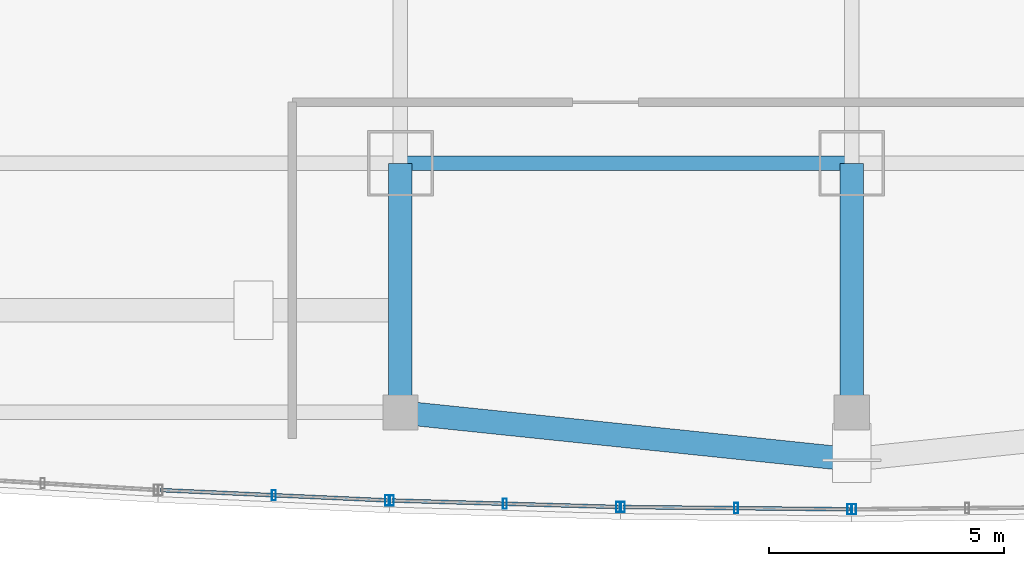
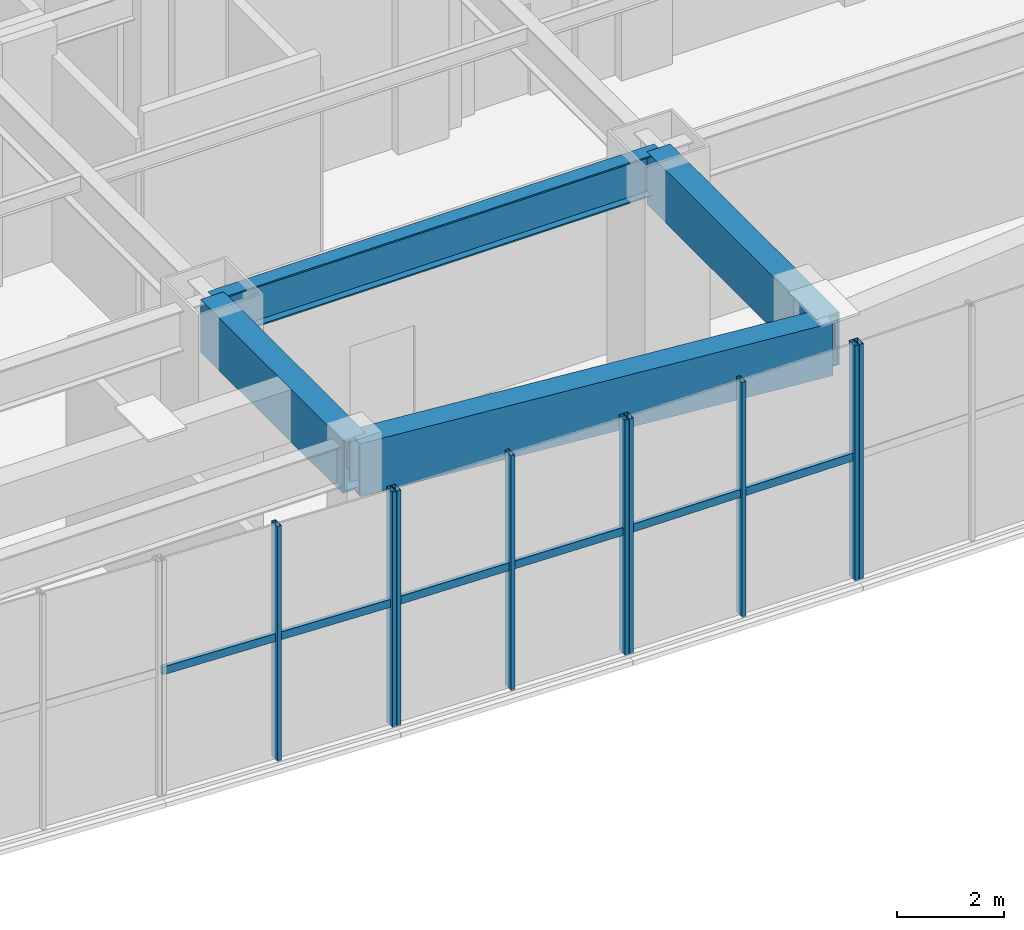
# One storey, part 4 of 19: 12 members, 4 beams, 4 elements without a shape of their own.
"""IFC4 building model written with IfcOpenShell, lengths in metres."""

from ifc_helpers import new_model, si_unit, direction, frame, origin, origin_2d, place, context, subcontext, project, spatial, hollow_rectangle, i_section, extrude, material, layer, layer_set, material_profile, profile_set, type_object, element, aggregate, save


model = new_model("IFC4")

# Units and contexts
model_context = context("Model", 3, precision=1e-05, world=origin(), true_north=direction((0.0, 1.0)))
body_context = subcontext(model_context, "Body", "Model", "MODEL_VIEW")
ifc_project = project(units=[si_unit("LENGTHUNIT", "METRE"), si_unit("AREAUNIT", "SQUARE_METRE"), si_unit("VOLUMEUNIT", "CUBIC_METRE"), si_unit("PLANEANGLEUNIT", "RADIAN"), si_unit("MASSUNIT", "GRAM", prefix="KILO")], contexts=[model_context])

# Site, building, storey
site_placement = place(None, origin())
site = spatial("IfcSite", under=ifc_project, at=site_placement, CompositionType="ELEMENT")
building_placement = place(site_placement, origin())
building = spatial("IfcBuilding", under=site, at=building_placement, Name="Vantalir Tower", CompositionType="ELEMENT")
storey_placement = place(building_placement, frame((0.0, 0.0, 21.5)))
storey = spatial("IfcBuildingStorey", under=building, at=storey_placement, Name="L04", CompositionType="ELEMENT", Elevation=21.5)

# Beams
ifc_material_1 = material(Name="Steel S355", Category="steel")
ifc_material_profile_1 = material_profile(ifc_material_1, i_section(OverallWidth=0.30810546875, OverallDepth=0.927001953125, WebThickness=0.01953125, FlangeThickness=0.031982421875, at=origin_2d()), Name="Steel S355")
ifc_profile_set_1 = profile_set([ifc_material_profile_1], Name="Steel S355")
beam_type_1 = type_object("IfcBeamType", Name="BM-PG-914x305", PredefinedType="USERDEFINED", material=ifc_profile_set_1)
beam_1_placement = place(storey_placement, frame((21.89990234375, 8.5, 4.81591796875), z_axis=(1.0, 0.0, 0.0), x_axis=(0.0, 1.0, 0.0)))
element("IfcBeam", 1, at=beam_1_placement, inside=storey, type_object=beam_type_1, Name="L04 Podium E-W Girder 10", ObjectType="GIRDER", PredefinedType="USERDEFINED", context=body_context, shape_type="SweptSolid", body=[
    extrude(i_section(OverallWidth=0.30810546875, OverallDepth=0.927001953125, WebThickness=0.01953125, FlangeThickness=0.031982421875, at=origin_2d()), origin(), (0.0, 0.0, 1.0), 9.60009765625),
])
ifc_material_2 = material(Name="Steel S460", Category="steel")
ifc_material_profile_2 = material_profile(ifc_material_2, hollow_rectangle(XDim=0.5, YDim=1.199951171875, WallThickness=0.0400390625, at=origin_2d()), Name="Steel S460")
ifc_profile_set_2 = profile_set([ifc_material_profile_2], Name="Steel S460")
beam_type_2 = type_object("IfcBeamType", Name="BM-XG-1200x500", PredefinedType="USERDEFINED", material=ifc_profile_set_2)
beam_2_placement = place(storey_placement, frame((21.89990234375, 3.199951171875, 4.679931640625), z_axis=(0.0, 1.0, 0.0), x_axis=(-1.0, 0.0, 0.0)))
element("IfcBeam", 2, at=beam_2_placement, inside=storey, type_object=beam_type_2, Name="L04 Ring Transfer Girder PRI-X3S", ObjectType="GIRDER", PredefinedType="USERDEFINED", context=body_context, shape_type="SweptSolid", body=[
    extrude(hollow_rectangle(XDim=0.5, YDim=1.199951171875, WallThickness=0.0400390625, at=origin_2d()), origin(), (0.0, 0.0, 1.0), 5.300048828125),
])
beam_3_placement = place(storey_placement, frame((31.5, 2.199951171875, 4.679931640625), z_axis=(0.0, 1.0, 0.0), x_axis=(-1.0, 0.0, 0.0)))
element("IfcBeam", 3, at=beam_3_placement, inside=storey, type_object=beam_type_2, Name="L04 Ring Transfer Girder PRI-X5S", ObjectType="GIRDER", PredefinedType="USERDEFINED", context=body_context, shape_type="SweptSolid", body=[
    extrude(hollow_rectangle(XDim=0.5, YDim=1.199951171875, WallThickness=0.0400390625, at=origin_2d()), origin(), (0.0, 0.0, 1.0), 6.300048828125),
])
beam_4_placement = place(storey_placement, frame((21.89990234375, 3.199951171875, 4.679931640625), z_axis=(0.994618517496, -0.103605041647, 0.0), x_axis=(0.103605041647, 0.994618517496, 0.0)))
element("IfcBeam", 4, at=beam_4_placement, inside=storey, type_object=beam_type_2, Name="L04 Ring Transfer Girder SEC-RC10W", ObjectType="GIRDER", PredefinedType="USERDEFINED", context=body_context, shape_type="SweptSolid", body=[
    extrude(hollow_rectangle(XDim=0.5, YDim=1.199951171875, WallThickness=0.0400390625, at=origin_2d()), origin(), (0.0, 0.0, 1.0), 9.652099609375),
])

# Curtain wall, members
ifc_material_3 = material(Name="Champagne-silver PVDF aluminium and double-silver Low-E glass", Category="aluminium")
ifc_layer = layer(ifc_material_3, 0.239990234375)
ifc_layer_set = layer_set([ifc_layer], Name="Champagne-silver PVDF aluminium and double-silver Low-E glass")
curtain_wall_type = type_object("IfcCurtainWallType", Name="CW-PODIUM-WF", PredefinedType="USERDEFINED", material=ifc_layer_set)
curtain_wall_1_placement = place(storey_placement, origin())
curtain_wall_1 = element("IfcCurtainWall", 5, at=curtain_wall_1_placement, inside=storey, type_object=curtain_wall_type, Name="L04 Waterfront Stick Curtain Wall 04", ObjectType="STICK CURTAIN WALL", PredefinedType="USERDEFINED")
ifc_material_4 = material(Name="Champagne-silver PVDF aluminium 6063-T6", Category="aluminium")
ifc_material_profile_3 = material_profile(ifc_material_4, hollow_rectangle(XDim=0.0849609375, YDim=0.219970703125, WallThickness=0.0048828125, at=origin_2d()), Name="Champagne-silver PVDF aluminium 6063-T6")
ifc_profile_set_3 = profile_set([ifc_material_profile_3], Name="Champagne-silver PVDF aluminium 6063-T6")
member_type_1 = type_object("IfcMemberType", Name="CWM-220x85", PredefinedType="MULLION", material=ifc_profile_set_3)
member_1_placement = place(storey_placement, frame((19.2080078125, 1.43896484375, -0.011962890625), z_axis=(0.0, 0.0, 1.0), x_axis=(1.0, 0.0, 0.0)))
member_1 = element("IfcMember", 6, at=member_1_placement, type_object=member_type_1, Name="CW-L04-WF-04 Mullion 2", PredefinedType="MULLION", context=body_context, shape_type="SweptSolid", body=[
    extrude(hollow_rectangle(XDim=0.0849609375, YDim=0.219970703125, WallThickness=0.0048828125, at=origin_2d()), origin(), (0.0, 0.0, 1.0), 5.343994140625),
])
member_2_placement = place(storey_placement, frame((21.616943359375, 1.330078125, -0.011962890625), z_axis=(0.0, 0.0, 1.0), x_axis=(1.0, 0.0, 0.0)))
member_2 = element("IfcMember", 7, at=member_2_placement, type_object=member_type_1, Name="CW-L04-WF-04 Mullion 3", PredefinedType="MULLION", context=body_context, shape_type="SweptSolid", body=[
    extrude(hollow_rectangle(XDim=0.0849609375, YDim=0.219970703125, WallThickness=0.0048828125, at=origin_2d()), origin(), (0.0, 0.0, 1.0), 5.343994140625),
])

curtain_wall_2_placement = place(storey_placement, origin())
curtain_wall_2 = element("IfcCurtainWall", 8, at=curtain_wall_2_placement, inside=storey, type_object=curtain_wall_type, Name="L04 Waterfront Stick Curtain Wall 05", ObjectType="STICK CURTAIN WALL", PredefinedType="USERDEFINED")
member_3_placement = place(storey_placement, frame((21.717041015625, 1.326904296875, -0.011962890625), z_axis=(0.0, 0.0, 1.0), x_axis=(1.0, 0.0, 0.0)))
member_3 = element("IfcMember", 9, at=member_3_placement, type_object=member_type_1, Name="CW-L04-WF-05 Mullion 1", PredefinedType="MULLION", context=body_context, shape_type="SweptSolid", body=[
    extrude(hollow_rectangle(XDim=0.0849609375, YDim=0.219970703125, WallThickness=0.0048828125, at=origin_2d()), origin(), (0.0, 0.0, 1.0), 5.343994140625),
])
member_4_placement = place(storey_placement, frame((24.125, 1.258056640625, -0.011962890625), z_axis=(0.0, 0.0, 1.0), x_axis=(1.0, 0.0, 0.0)))
member_4 = element("IfcMember", 10, at=member_4_placement, type_object=member_type_1, Name="CW-L04-WF-05 Mullion 2", PredefinedType="MULLION", context=body_context, shape_type="SweptSolid", body=[
    extrude(hollow_rectangle(XDim=0.0849609375, YDim=0.219970703125, WallThickness=0.0048828125, at=origin_2d()), origin(), (0.0, 0.0, 1.0), 5.343994140625),
])
member_5_placement = place(storey_placement, frame((26.532958984375, 1.18896484375, -0.011962890625), z_axis=(0.0, 0.0, 1.0), x_axis=(1.0, 0.0, 0.0)))
member_5 = element("IfcMember", 11, at=member_5_placement, type_object=member_type_1, Name="CW-L04-WF-05 Mullion 3", PredefinedType="MULLION", context=body_context, shape_type="SweptSolid", body=[
    extrude(hollow_rectangle(XDim=0.0849609375, YDim=0.219970703125, WallThickness=0.0048828125, at=origin_2d()), origin(), (0.0, 0.0, 1.0), 5.343994140625),
])

curtain_wall_3_placement = place(storey_placement, origin())
curtain_wall_3 = element("IfcCurtainWall", 12, at=curtain_wall_3_placement, inside=storey, type_object=curtain_wall_type, Name="L04 Waterfront Stick Curtain Wall 06", ObjectType="STICK CURTAIN WALL", PredefinedType="USERDEFINED")
member_6_placement = place(storey_placement, frame((26.633056640625, 1.18798828125, -0.011962890625), z_axis=(0.0, 0.0, 1.0), x_axis=(1.0, 0.0, 0.0)))
member_6 = element("IfcMember", 13, at=member_6_placement, type_object=member_type_1, Name="CW-L04-WF-06 Mullion 1", PredefinedType="MULLION", context=body_context, shape_type="SweptSolid", body=[
    extrude(hollow_rectangle(XDim=0.0849609375, YDim=0.219970703125, WallThickness=0.0048828125, at=origin_2d()), origin(), (0.0, 0.0, 1.0), 5.343994140625),
])
member_7_placement = place(storey_placement, frame((29.0419921875, 1.1640625, -0.011962890625), z_axis=(0.0, 0.0, 1.0), x_axis=(1.0, 0.0, 0.0)))
member_7 = element("IfcMember", 14, at=member_7_placement, type_object=member_type_1, Name="CW-L04-WF-06 Mullion 2", PredefinedType="MULLION", context=body_context, shape_type="SweptSolid", body=[
    extrude(hollow_rectangle(XDim=0.0849609375, YDim=0.219970703125, WallThickness=0.0048828125, at=origin_2d()), origin(), (0.0, 0.0, 1.0), 5.343994140625),
])
member_8_placement = place(storey_placement, frame((31.449951171875, 1.139892578125, -0.011962890625), z_axis=(0.0, 0.0, 1.0), x_axis=(1.0, 0.0, 0.0)))
member_8 = element("IfcMember", 15, at=member_8_placement, type_object=member_type_1, Name="CW-L04-WF-06 Mullion 3", PredefinedType="MULLION", context=body_context, shape_type="SweptSolid", body=[
    extrude(hollow_rectangle(XDim=0.0849609375, YDim=0.219970703125, WallThickness=0.0048828125, at=origin_2d()), origin(), (0.0, 0.0, 1.0), 5.343994140625),
])

# Curtain wall, member
curtain_wall_4_placement = place(storey_placement, origin())
curtain_wall_4 = element("IfcCurtainWall", 16, at=curtain_wall_4_placement, inside=storey, type_object=curtain_wall_type, Name="L04 Waterfront Stick Curtain Wall 07", ObjectType="STICK CURTAIN WALL", PredefinedType="USERDEFINED")
member_9_placement = place(storey_placement, frame((31.550048828125, 1.139892578125, -0.011962890625), z_axis=(0.0, 0.0, 1.0), x_axis=(1.0, 0.0, 0.0)))
member_9 = element("IfcMember", 17, at=member_9_placement, type_object=member_type_1, Name="CW-L04-WF-07 Mullion 1", PredefinedType="MULLION", context=body_context, shape_type="SweptSolid", body=[
    extrude(hollow_rectangle(XDim=0.0849609375, YDim=0.219970703125, WallThickness=0.0048828125, at=origin_2d()), origin(), (0.0, 0.0, 1.0), 5.343994140625),
])
aggregate(curtain_wall_4, [member_9])

# Member
ifc_material_profile_4 = material_profile(ifc_material_4, hollow_rectangle(XDim=0.080078125, YDim=0.179931640625, WallThickness=0.0048828125, at=origin_2d()), Name="Champagne-silver PVDF aluminium 6063-T6")
ifc_profile_set_4 = profile_set([ifc_material_profile_4], Name="Champagne-silver PVDF aluminium 6063-T6")
member_type_2 = type_object("IfcMemberType", Name="CWT-180x80", PredefinedType="USERDEFINED", material=ifc_profile_set_4)
member_10_placement = place(storey_placement, frame((16.800048828125, 1.548095703125, 2.76611328125), z_axis=(0.998977290904, -0.045214734961, 0.0), x_axis=(0.045214734961, 0.998977290904, 0.0)))
member_10 = element("IfcMember", 18, at=member_10_placement, type_object=member_type_2, Name="CW-L04-WF-04 Transom 1", ObjectType="TRANSOM", PredefinedType="USERDEFINED", context=body_context, shape_type="SweptSolid", body=[
    extrude(hollow_rectangle(XDim=0.080078125, YDim=0.179931640625, WallThickness=0.0048828125, at=origin_2d()), origin(), (0.0, 0.0, 1.0), 4.82177734375),
])

aggregate(curtain_wall_1, [member_1, member_2, member_10])

member_11_placement = place(storey_placement, frame((21.717041015625, 1.326904296875, 2.76611328125), z_axis=(0.999590058651, -0.028630659188, 0.0), x_axis=(0.028630659188, 0.999590058651, 0.0)))
member_11 = element("IfcMember", 19, at=member_11_placement, type_object=member_type_2, Name="CW-L04-WF-05 Transom 1", ObjectType="TRANSOM", PredefinedType="USERDEFINED", context=body_context, shape_type="SweptSolid", body=[
    extrude(hollow_rectangle(XDim=0.080078125, YDim=0.179931640625, WallThickness=0.0048828125, at=origin_2d()), origin(), (0.0, 0.0, 1.0), 4.81787109375),
])

aggregate(curtain_wall_2, [member_3, member_4, member_5, member_11])

member_12_placement = place(storey_placement, frame((26.633056640625, 1.18798828125, 2.76611328125), z_axis=(0.999950155664, -0.009984297043, 0.0), x_axis=(0.009984297043, 0.999950155664, 0.0)))
member_12 = element("IfcMember", 20, at=member_12_placement, type_object=member_type_2, Name="CW-L04-WF-06 Transom 1", ObjectType="TRANSOM", PredefinedType="USERDEFINED", context=body_context, shape_type="SweptSolid", body=[
    extrude(hollow_rectangle(XDim=0.080078125, YDim=0.179931640625, WallThickness=0.0048828125, at=origin_2d()), origin(), (0.0, 0.0, 1.0), 4.817138671875),
])

aggregate(curtain_wall_3, [member_6, member_7, member_8, member_12])

save(model, "model.ifc")
